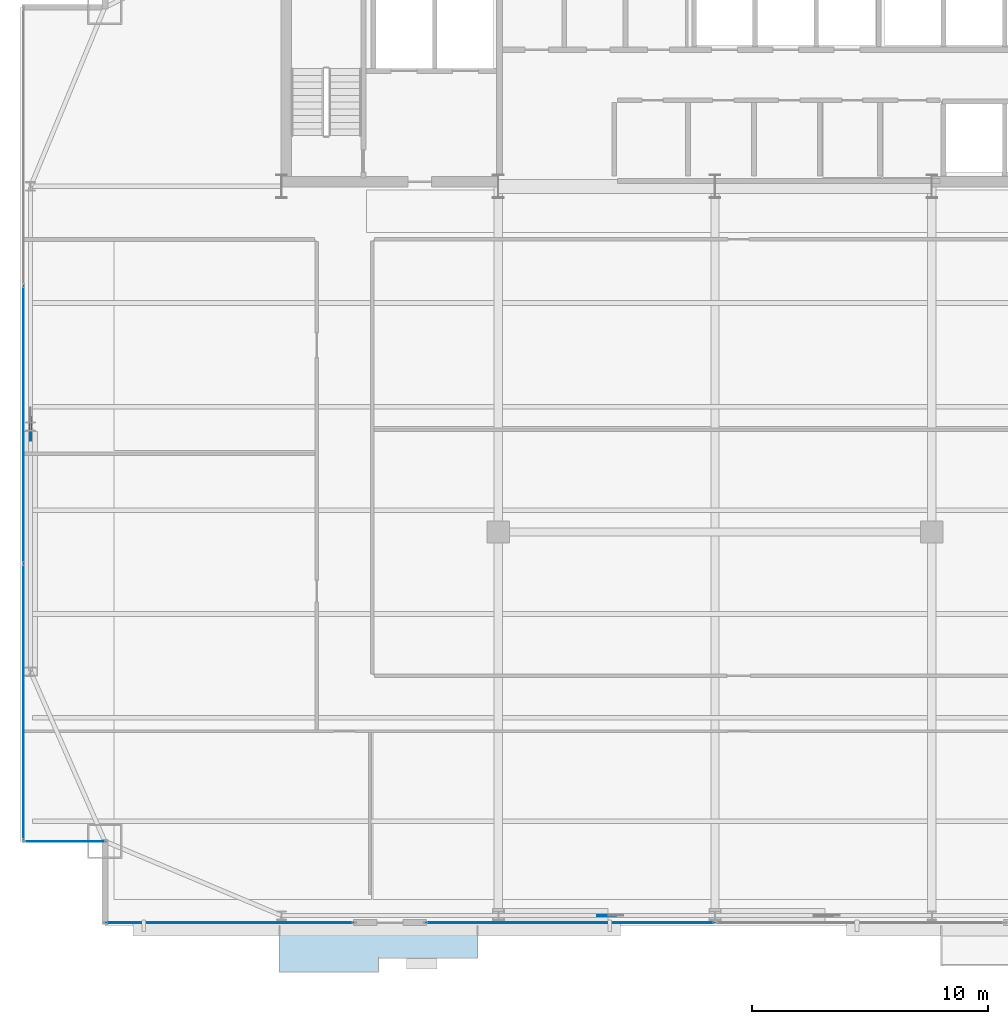
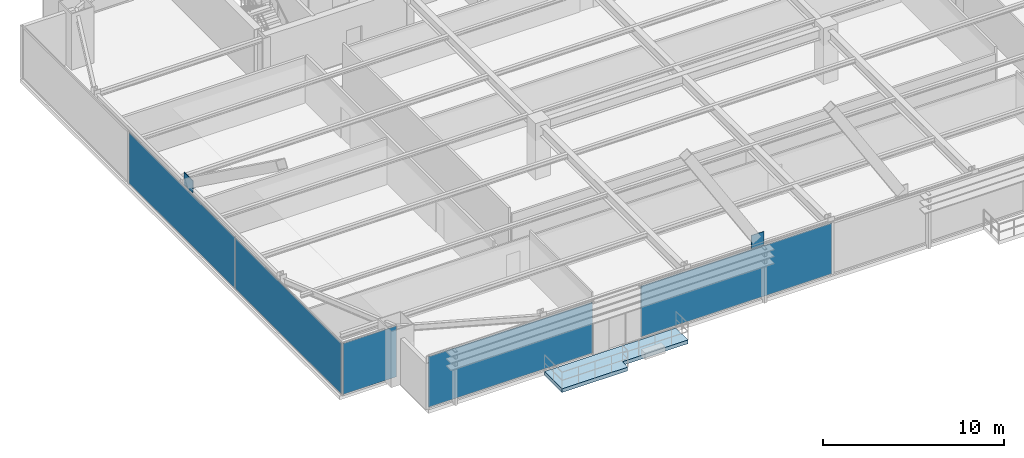
# One storey, part 27 of 37: 7 plates, 1 slab, 4 elements without a shape of their own.
"""IFC4 building model written with IfcOpenShell, lengths in metres."""

from ifc_helpers import new_model, si_unit, direction, frame, origin, origin_2d, place, context, subcontext, project, spatial, polyline, rectangle, outline, extrude, source, transform, mapped, material, layer, layer_set, type_object, type_shapes, element, aggregate, save


model = new_model("IFC4")

# Units and contexts
model_context = context("Model", 3, precision=1e-05, world=origin(), true_north=direction((0.0, 1.0)))
body_context = subcontext(model_context, "Body", "Model", "MODEL_VIEW")
ifc_project = project(units=[si_unit("LENGTHUNIT", "METRE"), si_unit("AREAUNIT", "SQUARE_METRE"), si_unit("VOLUMEUNIT", "CUBIC_METRE"), si_unit("PLANEANGLEUNIT", "RADIAN"), si_unit("MASSUNIT", "GRAM", prefix="KILO")], contexts=[model_context])

# Site, building, storey
site_placement = place(None, origin())
site = spatial("IfcSite", under=ifc_project, at=site_placement, CompositionType="ELEMENT")
building_placement = place(site_placement, origin())
building = spatial("IfcBuilding", under=site, at=building_placement, Name="Varnel Quay Broadcast Tower", CompositionType="ELEMENT")
storey_placement = place(building_placement, frame((0.0, 0.0, 106.800048828125)))
storey = spatial("IfcBuildingStorey", under=building, at=storey_placement, Name="L25", CompositionType="ELEMENT", Elevation=106.800048828125)

# Slab
ifc_material_1 = material(Name="Concrete CSA A23.3 C40/50", Category="concrete")
ifc_layer_1 = layer(ifc_material_1, 0.25, Name="Concrete CSA A23.3 C40/50")
ifc_layer_set_1 = layer_set([ifc_layer_1], Name="Concrete CSA A23.3 C40/50")
slab_type = type_object("IfcSlabType", Name="Slab_ExtTerrace250", PredefinedType="FLOOR", material=ifc_layer_set_1)
slab_placement = place(storey_placement, frame((0.0, 0.0, -0.25)))
element("IfcSlab", 1, at=slab_placement, inside=storey, type_object=slab_type, Name="L25 Planted Lobe Terrace Slab 1", PredefinedType="FLOOR", context=body_context, shape_type="SweptSolid", body=[
    extrude(outline(polyline([(15.52001953125, 2.260986328125), (19.719970703125, 2.260986328125), (19.719970703125, 2.861083984375), (23.919921875, 2.861083984375), (23.919921875, 4.199951171875), (15.52001953125, 4.199951171875), (15.52001953125, 2.260986328125)])), origin(), (0.0, 0.0, 1.0), 0.25),
])

# Plates
ifc_material_2 = material(Name="Structural Steel CSA G40.21 350WT", Category="steel")
ifc_layer_2 = layer(ifc_material_2, 0.0400390625, Name="Structural Steel CSA G40.21 350WT")
ifc_layer_set_2 = layer_set([ifc_layer_2], Name="Structural Steel CSA G40.21 350WT")
plate_type_1 = type_object("IfcPlateType", Name="Plate_MegaGusset", PredefinedType="USERDEFINED", material=ifc_layer_set_2)
shared_shape_1 = source(origin(), body_context, "Body", "SweptSolid", [
    extrude(rectangle(XDim=0.819091796875, YDim=0.0400390625, at=origin_2d()), origin(), (0.0, 0.0, 1.0), 1.053955078125),
])
plate_1_placement = place(storey_placement, frame((29.39990234375, 4.64990234375, 3.14794921875), z_axis=(0.0, 0.0, 1.0), x_axis=(1.0, 0.0, 0.0)))
element("IfcPlate", 2, at=plate_1_placement, inside=storey, type_object=plate_type_1, Name="Zone 2 Mega-Brace S-C1T2 Central X-Crossing Gusset Plate", ObjectType="GUSSET_PLATE", PredefinedType="USERDEFINED", context=body_context, shape_type="MappedRepresentation", body=[
    mapped(shared_shape_1, transform((0.0, 0.0, 0.0), x_axis=(1.0, 0.0, 0.0), y_axis=(0.0, 1.0, 0.0), z_axis=(0.0, 0.0, 1.0), scale=1.0)),
])
shared_shape_2 = source(origin(), body_context, "Body", "SweptSolid", [
    extrude(rectangle(XDim=0.991943359375, YDim=0.0400390625, at=origin_2d()), origin(), (0.0, 0.0, 1.0), 0.840087890625),
])
type_shapes(plate_type_1, [shared_shape_1, shared_shape_2])
plate_2_placement = place(storey_placement, frame((4.949951171875, 25.300048828125, 3.2548828125), z_axis=(0.0, 0.0, 1.0), x_axis=(0.0, 1.0, 0.0)))
element("IfcPlate", 3, at=plate_2_placement, inside=storey, type_object=plate_type_1, Name="Zone 2 Mega-Brace W-FT2 Central X-Crossing Gusset Plate", ObjectType="GUSSET_PLATE", PredefinedType="USERDEFINED", context=body_context, shape_type="MappedRepresentation", body=[
    mapped(shared_shape_2, transform((0.0, 0.0, 0.0), x_axis=(1.0, 0.0, 0.0), y_axis=(0.0, 1.0, 0.0), z_axis=(0.0, 0.0, 1.0), scale=1.0)),
])

# Curtain wall, plate
ifc_material_3 = material(Name="Anodised Bronze Aluminium 6063-T6", Category="aluminium")
ifc_layer_3 = layer(ifc_material_3, 0.18994140625, Name="Anodised Bronze Aluminium 6063-T6")
ifc_layer_set_3 = layer_set([ifc_layer_3], Name="Anodised Bronze Aluminium 6063-T6")
curtain_wall_type_1 = type_object("IfcCurtainWallType", Name="CW_LowerTower", PredefinedType="NOTDEFINED", material=ifc_layer_set_3)
curtain_wall_1_placement = place(storey_placement, origin())
curtain_wall_1 = element("IfcCurtainWall", 4, at=curtain_wall_1_placement, inside=storey, type_object=curtain_wall_type_1, Name="L25 West Unitised Curtain Wall", PredefinedType="NOTDEFINED")
ifc_material_4 = material(Name="Insulated Bronze Spandrel Glass", Category="glass")
ifc_layer_4 = layer(ifc_material_4, 0.031982421875, Name="Insulated Bronze Spandrel Glass")
ifc_layer_set_4 = layer_set([ifc_layer_4], Name="Insulated Bronze Spandrel Glass")
plate_type_2 = type_object("IfcPlateType", Name="PanelSp_CWS-02", PredefinedType="CURTAIN_PANEL", material=ifc_layer_set_4)
shared_shape_3 = source(origin(), body_context, "Body", "SweptSolid", [
    extrude(rectangle(XDim=11.72998046875, YDim=0.031982421875, at=origin_2d()), origin(), (0.0, 0.0, 1.0), 3.429931640625),
])
plate_3_placement = place(storey_placement, frame((4.64990234375, 25.5, 0.06005859375), z_axis=(0.0, 0.0, 1.0), x_axis=(0.0, 1.0, 0.0)))
plate_3 = element("IfcPlate", 5, at=plate_3_placement, type_object=plate_type_2, Name="CWS-02 panel 2.1", PredefinedType="CURTAIN_PANEL", context=body_context, shape_type="MappedRepresentation", body=[
    mapped(shared_shape_3, transform((0.0, 0.0, 0.0), x_axis=(1.0, 0.0, 0.0), y_axis=(0.0, 1.0, 0.0), z_axis=(0.0, 0.0, 1.0), scale=1.0)),
])

ifc_layer_5 = layer(ifc_material_3, 0.18994140625, Name="Anodised Bronze Aluminium 6063-T6")
ifc_layer_set_5 = layer_set([ifc_layer_5], Name="Anodised Bronze Aluminium 6063-T6")
curtain_wall_type_2 = type_object("IfcCurtainWallType", Name="CW_NotchCorner", PredefinedType="NOTDEFINED", material=ifc_layer_set_5)
curtain_wall_2_placement = place(storey_placement, origin())
curtain_wall_2 = element("IfcCurtainWall", 6, at=curtain_wall_2_placement, inside=storey, type_object=curtain_wall_type_2, Name="L25 SW Notch Curtain Wall", PredefinedType="NOTDEFINED")
ifc_material_5 = material(Name="Triple-Glazed Bronze Low-E Architectural Glass", Category="glass")
ifc_layer_6 = layer(ifc_material_5, 0.028076171875, Name="Triple-Glazed Bronze Low-E Architectural Glass")
ifc_layer_set_6 = layer_set([ifc_layer_6], Name="Triple-Glazed Bronze Low-E Architectural Glass")
plate_type_3 = type_object("IfcPlateType", Name="Panel_CWS-04", PredefinedType="CURTAIN_PANEL", material=ifc_layer_set_6)
shared_shape_4 = source(origin(), body_context, "Body", "SweptSolid", [
    extrude(rectangle(XDim=3.409912109375, YDim=0.028076171875, at=origin_2d()), origin(), (0.0, 0.0, 1.0), 3.43994140625),
])
type_shapes(plate_type_3, [shared_shape_4])
plate_4_placement = place(storey_placement, frame((6.4150390625, 7.800048828125, 0.054931640625), z_axis=(0.0, 0.0, 1.0), x_axis=(1.0, 0.0, 0.0)))
plate_4 = element("IfcPlate", 7, at=plate_4_placement, type_object=plate_type_3, Name="CWS-04 panel 1.1", PredefinedType="CURTAIN_PANEL", context=body_context, shape_type="MappedRepresentation", body=[
    mapped(shared_shape_4, transform((0.0, 0.0, 0.0), x_axis=(1.0, 0.0, 0.0), y_axis=(0.0, 1.0, 0.0), z_axis=(0.0, 0.0, 1.0), scale=1.0)),
])
aggregate(curtain_wall_2, [plate_4])

curtain_wall_3_placement = place(storey_placement, origin())
curtain_wall_3 = element("IfcCurtainWall", 8, at=curtain_wall_3_placement, inside=storey, type_object=curtain_wall_type_1, Name="L25 South Unitised Curtain Wall 1", PredefinedType="NOTDEFINED")
ifc_layer_7 = layer(ifc_material_5, 0.031982421875, Name="Triple-Glazed Bronze Low-E Architectural Glass")
ifc_layer_set_7 = layer_set([ifc_layer_7], Name="Triple-Glazed Bronze Low-E Architectural Glass")
plate_type_4 = type_object("IfcPlateType", Name="Panel_CWS-02", PredefinedType="CURTAIN_PANEL", material=ifc_layer_set_7)
shared_shape_5 = source(origin(), body_context, "Body", "SweptSolid", [
    extrude(rectangle(XDim=10.47998046875, YDim=0.031982421875, at=origin_2d()), origin(), (0.0, 0.0, 1.0), 3.429931640625),
])
plate_5_placement = place(storey_placement, frame((13.409912109375, 4.35009765625, 0.06005859375), z_axis=(0.0, 0.0, 1.0), x_axis=(1.0, 0.0, 0.0)))
plate_5 = element("IfcPlate", 9, at=plate_5_placement, type_object=plate_type_4, Name="CWS-02 panel 1.1", PredefinedType="CURTAIN_PANEL", context=body_context, shape_type="MappedRepresentation", body=[
    mapped(shared_shape_5, transform((0.0, 0.0, 0.0), x_axis=(1.0, 0.0, 0.0), y_axis=(0.0, 1.0, 0.0), z_axis=(0.0, 0.0, 1.0), scale=1.0)),
])
aggregate(curtain_wall_3, [plate_5])

curtain_wall_4_placement = place(storey_placement, origin())
curtain_wall_4 = element("IfcCurtainWall", 10, at=curtain_wall_4_placement, inside=storey, type_object=curtain_wall_type_1, Name="L25 South Unitised Curtain Wall 2", PredefinedType="NOTDEFINED")
shared_shape_6 = source(origin(), body_context, "Body", "SweptSolid", [
    extrude(rectangle(XDim=12.215087890625, YDim=0.031982421875, at=origin_2d()), origin(), (0.0, 0.0, 1.0), 3.429931640625),
])
type_shapes(plate_type_2, [shared_shape_3, shared_shape_6])
plate_6_placement = place(storey_placement, frame((27.857421875, 4.35009765625, 0.06005859375), z_axis=(0.0, 0.0, 1.0), x_axis=(1.0, 0.0, 0.0)))
plate_6 = element("IfcPlate", 11, at=plate_6_placement, type_object=plate_type_2, Name="CWS-02 panel 1.1", PredefinedType="CURTAIN_PANEL", context=body_context, shape_type="MappedRepresentation", body=[
    mapped(shared_shape_6, transform((0.0, 0.0, 0.0), x_axis=(1.0, 0.0, 0.0), y_axis=(0.0, 1.0, 0.0), z_axis=(0.0, 0.0, 1.0), scale=1.0)),
])
aggregate(curtain_wall_4, [plate_6])

# Plate
shared_shape_7 = source(origin(), body_context, "Body", "SweptSolid", [
    extrude(rectangle(XDim=11.695068359375, YDim=0.031982421875, at=origin_2d()), origin(), (0.0, 0.0, 1.0), 3.429931640625),
])
type_shapes(plate_type_4, [shared_shape_5, shared_shape_7])
plate_7_placement = place(storey_placement, frame((4.64990234375, 13.717529296875, 0.06005859375), z_axis=(0.0, 0.0, 1.0), x_axis=(0.0, 1.0, 0.0)))
plate_7 = element("IfcPlate", 12, at=plate_7_placement, type_object=plate_type_4, Name="CWS-02 panel 1.1", PredefinedType="CURTAIN_PANEL", context=body_context, shape_type="MappedRepresentation", body=[
    mapped(shared_shape_7, transform((0.0, 0.0, 0.0), x_axis=(1.0, 0.0, 0.0), y_axis=(0.0, 1.0, 0.0), z_axis=(0.0, 0.0, 1.0), scale=1.0)),
])

aggregate(curtain_wall_1, [plate_7, plate_3])

save(model, "model.ifc")
